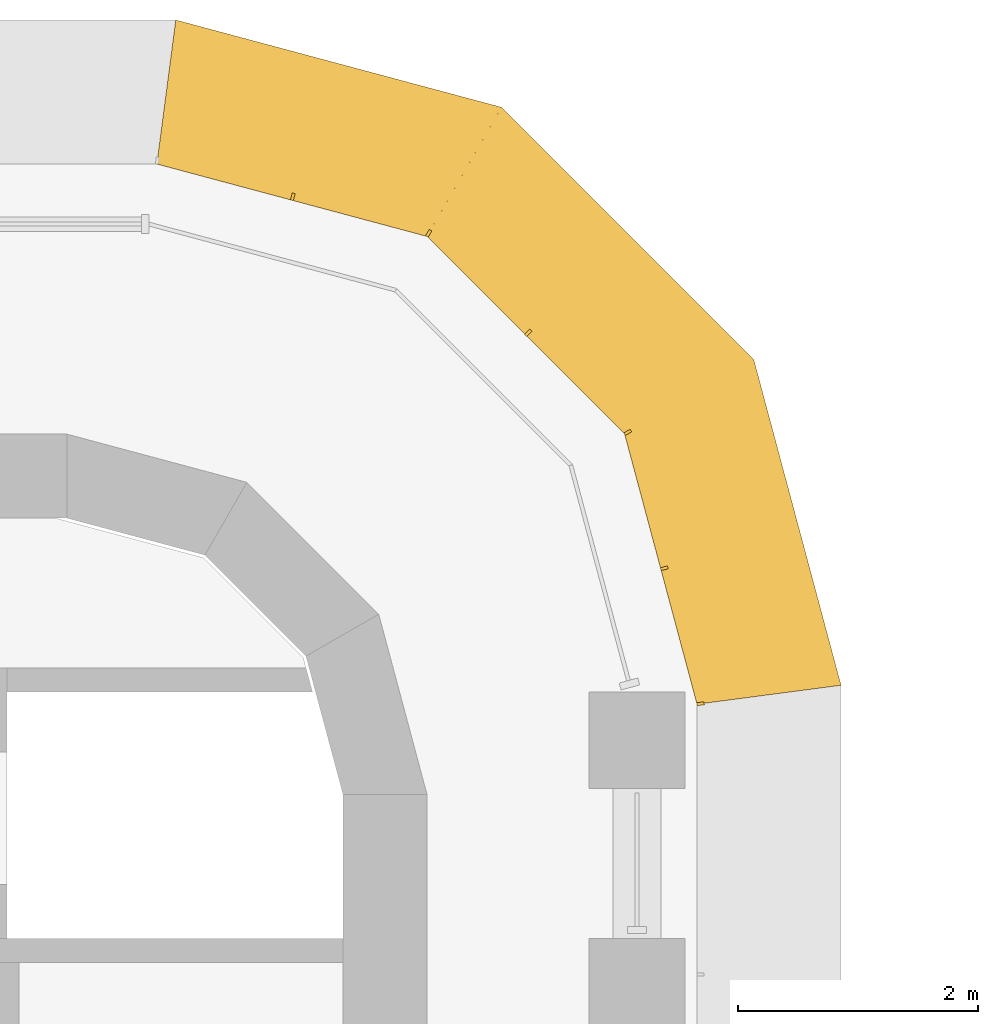
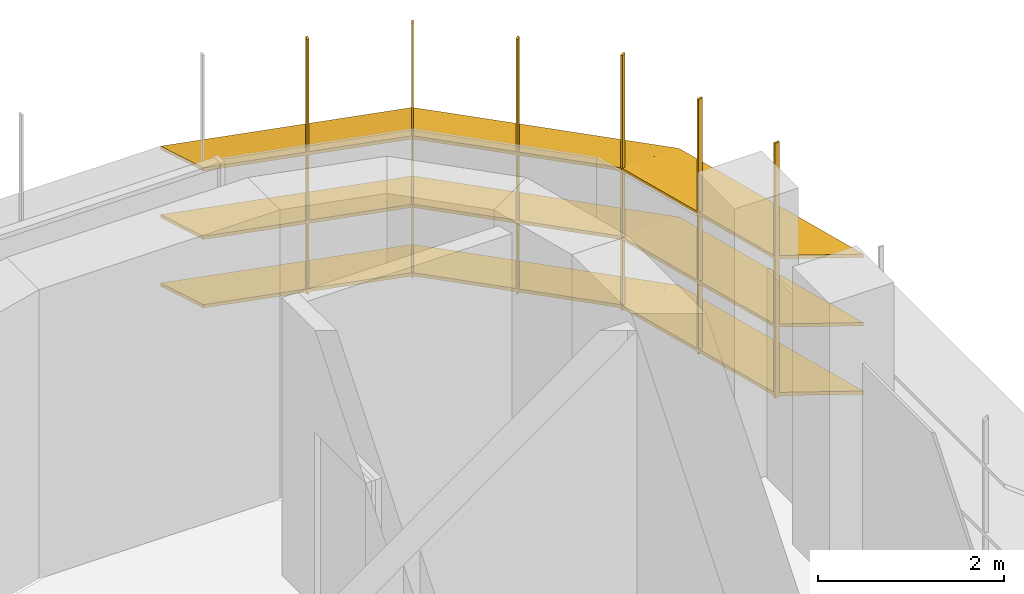
# One storey, part 20 of 20: 1 shading device.
"""IFC4 building model written with IfcOpenShell, lengths in metres."""

from ifc_helpers import new_model, si_unit, direction, frame, origin, place, context, subcontext, project, spatial, polyline, outline, extrude, faceted_brep, source, transform, mapped, material, type_object, element, save


model = new_model("IFC4")

# Units and contexts
model_context = context("Model", 3, precision=1e-05, world=origin(), true_north=direction((0.0, 1.0)))
body_context = subcontext(model_context, "Body", "Model", "MODEL_VIEW")
ifc_project = project(units=[si_unit("LENGTHUNIT", "METRE"), si_unit("AREAUNIT", "SQUARE_METRE"), si_unit("VOLUMEUNIT", "CUBIC_METRE"), si_unit("PLANEANGLEUNIT", "RADIAN"), si_unit("MASSUNIT", "GRAM", prefix="KILO")], contexts=[model_context])

# Site, building, storey
site_placement = place(None, origin())
site = spatial("IfcSite", under=ifc_project, at=site_placement, CompositionType="ELEMENT")
building_placement = place(site_placement, origin())
building = spatial("IfcBuilding", under=site, at=building_placement, Name="Zarbagh Exchange Tower", CompositionType="ELEMENT")
storey_placement = place(building_placement, frame((0.0, 0.0, 148.60009765625)))
storey = spatial("IfcBuildingStorey", under=building, at=storey_placement, Name="L35", CompositionType="ELEMENT", Elevation=148.60009765625)

# Shading device
ifc_material = material(Name="Anodised aluminium blades and brackets", Category="aluminium")
shading_device_type = type_object("IfcShadingDeviceType", Name="SUNSHADE louvre band, 22.5 degree blades", PredefinedType="JALOUSIE", material=ifc_material)
shared_shape_1 = source(origin(), body_context, "Body", "Brep", [
    faceted_brep([(0.0, 0.0, 0.0), (0.0, 0.0, -0.043212890625), (-0.157958984375, -1.199951171875, -0.540283203125), (-0.157958984375, -1.199951171875, -0.4970703125), (2.65087890625, -1.199951171875, -0.4970703125), (2.65087890625, -1.199951171875, -0.540283203125), (2.329345703125, 0.0, -0.043212890625), (2.329345703125, 0.0, 0.0)], [[[0, 1, 2, 3]], [[4, 5, 6, 7]], [[0, 7, 6, 1]], [[1, 6, 5, 2]], [[2, 5, 4, 3]], [[3, 4, 7, 0]]]),
])
shared_shape_2 = source(origin(), body_context, "Body", "Brep", [
    faceted_brep([(0.0, 0.0, 0.0), (0.0, 0.0, -0.043212890625), (-0.321533203125, -1.199951171875, -0.540283203125), (-0.321533203125, -1.199951171875, -0.4970703125), (2.65087890625, -1.199951171875, -0.4970703125), (2.65087890625, -1.199951171875, -0.540283203125), (2.329345703125, 0.0, -0.043212890625), (2.329345703125, 0.0, 0.0)], [[[0, 1, 2, 3]], [[4, 5, 6, 7]], [[0, 7, 6, 1]], [[1, 6, 5, 2]], [[2, 5, 4, 3]], [[3, 4, 7, 0]]]),
])
shared_shape_3 = source(origin(), body_context, "Body", "Brep", [
    faceted_brep([(0.0, 0.0, 0.0), (0.0, 0.0, -0.043212890625), (-0.321533203125, -1.199951171875, -0.540283203125), (-0.321533203125, -1.199951171875, -0.4970703125), (2.4873046875, -1.199951171875, -0.4970703125), (2.4873046875, -1.199951171875, -0.540283203125), (2.329345703125, 0.0, -0.043212890625), (2.329345703125, 0.0, 0.0)], [[[0, 1, 2, 3]], [[4, 5, 6, 7]], [[0, 7, 6, 1]], [[1, 6, 5, 2]], [[2, 5, 4, 3]], [[3, 4, 7, 0]]]),
])
shared_shape_4 = source(origin(), body_context, "Body", "SweptSolid", [
    extrude(outline(polyline([(0.0, -0.012451171875), (0.06005859375, -0.012451171875), (0.06005859375, 0.012451171875), (0.0, 0.012451171875), (0.0, -0.012451171875)])), origin(), (0.0, 0.0, 1.0), 3.353271484375),
])
shading_device_placement = place(storey_placement, origin())
element("IfcShadingDevice", 1, at=shading_device_placement, inside=storey, type_object=shading_device_type, Name="SS26 sunshade band", PredefinedType="JALOUSIE", context=body_context, shape_type="MappedRepresentation", body=[
    mapped(shared_shape_1, transform((6.75, 27.0, 2.2998046875), x_axis=(-0.258824779902, 0.965924289636, 0.0), y_axis=(-0.965924289636, -0.258824779902, 0.0), z_axis=(0.0, 0.0, 1.0))),
    mapped(shared_shape_1, transform((6.75, 27.0, 1.39990234375), x_axis=(-0.258824779902, 0.965924289636, 0.0), y_axis=(-0.965924289636, -0.258824779902, 0.0), z_axis=(0.0, 0.0, 1.0))),
    mapped(shared_shape_1, transform((6.75, 27.0, 0.5), x_axis=(-0.258824779902, 0.965924289636, 0.0), y_axis=(-0.965924289636, -0.258824779902, 0.0), z_axis=(0.0, 0.0, 1.0))),
    mapped(shared_shape_2, transform((6.147216796875, 29.25, 2.2998046875), x_axis=(-0.707106781187, 0.707106781187, 0.0), y_axis=(-0.707106781187, -0.707106781187, 0.0), z_axis=(0.0, 0.0, 1.0))),
    mapped(shared_shape_2, transform((6.147216796875, 29.25, 1.39990234375), x_axis=(-0.707106781187, 0.707106781187, 0.0), y_axis=(-0.707106781187, -0.707106781187, 0.0), z_axis=(0.0, 0.0, 1.0))),
    mapped(shared_shape_2, transform((6.147216796875, 29.25, 0.5), x_axis=(-0.707106781187, 0.707106781187, 0.0), y_axis=(-0.707106781187, -0.707106781187, 0.0), z_axis=(0.0, 0.0, 1.0))),
    mapped(shared_shape_3, transform((4.5, 30.897216796875, 2.2998046875), x_axis=(-0.965924289636, 0.258824779902, 0.0), y_axis=(-0.258824779902, -0.965924289636, 0.0), z_axis=(0.0, 0.0, 1.0))),
    mapped(shared_shape_3, transform((4.5, 30.897216796875, 1.39990234375), x_axis=(-0.965924289636, 0.258824779902, 0.0), y_axis=(-0.258824779902, -0.965924289636, 0.0), z_axis=(0.0, 0.0, 1.0))),
    mapped(shared_shape_3, transform((4.5, 30.897216796875, 0.5), x_axis=(-0.965924289636, 0.258824779902, 0.0), y_axis=(-0.258824779902, -0.965924289636, 0.0), z_axis=(0.0, 0.0, 1.0))),
    mapped(shared_shape_4, transform((6.75, 27.0, 0.426513671875), x_axis=(0.991444457092, 0.130529263012, 0.0), y_axis=(-0.130529263012, 0.991444457092, 0.0), z_axis=(0.0, 0.0, 1.0))),
    mapped(shared_shape_4, transform((6.448486328125, 28.125, 0.426513671875), x_axis=(0.96592421511, 0.258825058029, 0.0), y_axis=(-0.258825058029, 0.96592421511, 0.0), z_axis=(0.0, 0.0, 1.0))),
    mapped(shared_shape_4, transform((6.147216796875, 29.25, 0.426513671875), x_axis=(0.866023812018, 0.50000275701, 0.0), y_axis=(-0.50000275701, 0.866023812018, 0.0), z_axis=(0.0, 0.0, 1.0))),
    mapped(shared_shape_4, transform((5.323486328125, 30.073486328125, 0.426513671875), x_axis=(0.707106781187, 0.707106781187, 0.0), y_axis=(-0.707106781187, 0.707106781187, 0.0), z_axis=(0.0, 0.0, 1.0))),
    mapped(shared_shape_4, transform((4.5, 30.897216796875, 0.426513671875), x_axis=(0.50000275701, 0.866023812018, 0.0), y_axis=(-0.866023812018, 0.50000275701, 0.0), z_axis=(0.0, 0.0, 1.0))),
    mapped(shared_shape_4, transform((3.375, 31.198486328125, 0.426513671875), x_axis=(0.258825058029, 0.96592421511, 0.0), y_axis=(-0.96592421511, 0.258825058029, 0.0), z_axis=(0.0, 0.0, 1.0))),
])

save(model, "model.ifc")
